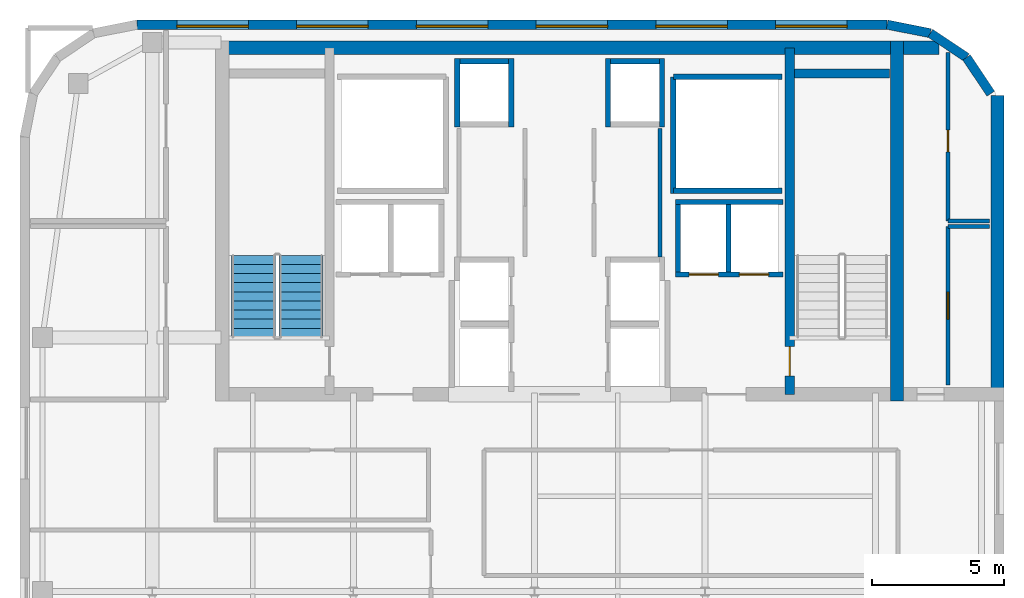
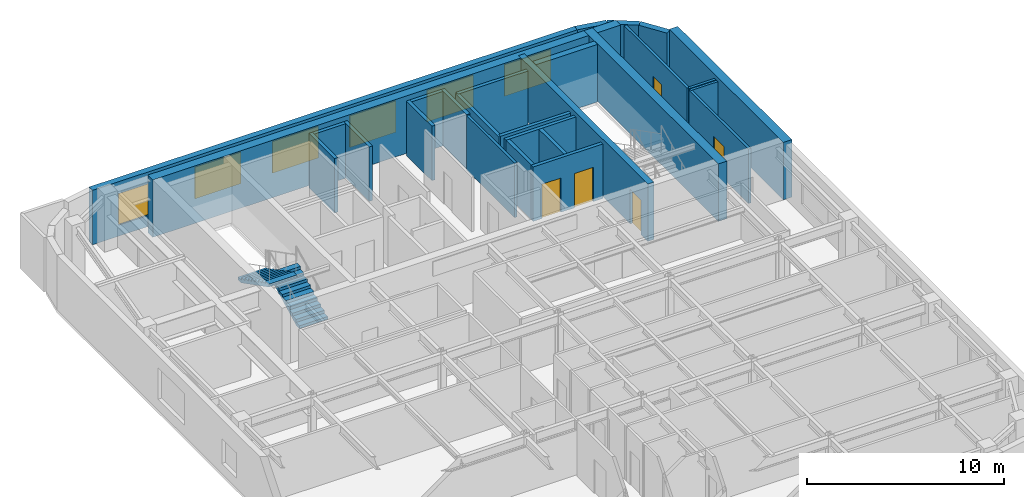
# One storey, part 7 of 9: 28 walls, 6 windows, 5 doors, 2 stair flights, 11 openings, 1 element without a shape of its own.
"""IFC4 building model written with IfcOpenShell, lengths in metres."""

from ifc_helpers import new_model, si_unit, direction, frame, frame_2d, origin, place, context, subcontext, project, spatial, polyline, rectangle, outline, extrude, source, transform, mapped, material, layer, layer_set, type_object, type_shapes, element, fill, aggregate, save


model = new_model("IFC4")

# Units and contexts
model_context = context("Model", 3, precision=1e-05, world=origin(), true_north=direction((0.0, 1.0)))
body_context = subcontext(model_context, "Body", "Model", "MODEL_VIEW")
ifc_project = project(units=[si_unit("LENGTHUNIT", "METRE"), si_unit("AREAUNIT", "SQUARE_METRE"), si_unit("VOLUMEUNIT", "CUBIC_METRE"), si_unit("PLANEANGLEUNIT", "RADIAN"), si_unit("MASSUNIT", "GRAM", prefix="KILO")], contexts=[model_context])

# Site, building, storey
site_placement = place(None, origin())
site = spatial("IfcSite", under=ifc_project, at=site_placement, CompositionType="ELEMENT")
building_placement = place(site_placement, origin())
building = spatial("IfcBuilding", under=site, at=building_placement, Name="Tolvann Quenvar Hotel", CompositionType="ELEMENT")
storey_placement = place(building_placement, frame((0.0, 0.0, 216.800048828125)))
storey = spatial("IfcBuildingStorey", under=building, at=storey_placement, Name="L57", CompositionType="ELEMENT", Elevation=216.800048828125)

# Walls
ifc_material_1 = material(Name="Concrete N50 (50 MPa)", Category="concrete")
ifc_layer_1 = layer(ifc_material_1, 0.5)
ifc_layer_set_1 = layer_set([ifc_layer_1], Name="Concrete N50 (50 MPa)")
wall_type_1 = type_object("IfcWallType", Name="WALL_CORE_500", PredefinedType="SHEAR", material=ifc_layer_set_1)
wall_1_placement = place(storey_placement, frame((10.0, 44.949951171875, 0.0), z_axis=(0.0, 0.0, 1.0), x_axis=(1.0, 0.0, 0.0)))
element("IfcWall", 1, at=wall_1_placement, inside=storey, type_object=wall_type_1, Name="Rear Core N Shear Wall (L57)", PredefinedType="SHEAR", context=body_context, shape_type="SweptSolid", body=[
    extrude(rectangle(XDim=26.0, YDim=0.5, at=frame_2d((13.0, 0.0))), origin(), (0.0, 0.0, 1.0), 3.550048828125),
])
wall_2_placement = place(storey_placement, frame((35.75, 31.60009765625, 0.0), z_axis=(0.0, 0.0, 1.0), x_axis=(0.0, 1.0, 0.0)))
element("IfcWall", 2, at=wall_2_placement, inside=storey, type_object=wall_type_1, Name="Rear Core E Shear Wall (L57)", PredefinedType="SHEAR", context=body_context, shape_type="SweptSolid", body=[
    extrude(rectangle(XDim=13.599853515625, YDim=0.5, at=frame_2d((6.7998046875, 0.0))), origin(), (0.0, 0.0, 1.0), 3.550048828125),
])
wall_3_placement = place(storey_placement, frame((36.0, 44.949951171875, 0.0), z_axis=(0.0, 0.0, 1.0), x_axis=(1.0, 0.0, 0.0)))
element("IfcWall", 3, at=wall_3_placement, inside=storey, type_object=wall_type_1, Name="Core East Annex Shear Wall ANN-N (L57)", PredefinedType="SHEAR", context=body_context, shape_type="SweptSolid", body=[
    extrude(rectangle(XDim=1.35009765625, YDim=0.5, at=frame_2d((0.675048828125, 0.0))), origin(), (0.0, 0.0, 1.0), 3.550048828125),
])
wall_4_placement = place(storey_placement, frame((39.550048828125, 31.60009765625, 0.0), z_axis=(0.0, 0.0, 1.0), x_axis=(0.0, 1.0, 0.0)))
element("IfcWall", 4, at=wall_4_placement, inside=storey, type_object=wall_type_1, Name="Core East Annex Shear Wall ANN-E (L57)", PredefinedType="SHEAR", context=body_context, shape_type="SweptSolid", body=[
    extrude(rectangle(XDim=11.5498046875, YDim=0.5, at=frame_2d((5.77490234375, 0.0))), origin(), (0.0, 0.0, 1.0), 3.550048828125),
])

# Wall, opening, door
ifc_material_2 = material(Name="Concrete S65 (65 MPa)", Category="concrete")
ifc_layer_2 = layer(ifc_material_2, 0.35009765625)
ifc_layer_set_2 = layer_set([ifc_layer_2], Name="Concrete S65 (65 MPa)")
wall_type_2 = type_object("IfcWallType", Name="WALL_CORE_INT_350", PredefinedType="SHEAR", material=ifc_layer_set_2)
wall_5_placement = place(storey_placement, frame((31.699951171875, 31.85009765625, 0.0), z_axis=(0.0, 0.0, 1.0), x_axis=(0.0, 1.0, 0.0)))
wall_5 = element("IfcWall", 5, at=wall_5_placement, inside=storey, type_object=wall_type_2, Name="Core Internal Web Shear Wall WEB-E (L57)", PredefinedType="SHEAR", context=body_context, shape_type="SweptSolid", body=[
    extrude(rectangle(XDim=13.099853515625, YDim=0.35009765625, at=frame_2d((6.5498046875, 0.0))), origin(), (0.0, 0.0, 1.0), 3.550048828125),
])
opening_1_placement = place(wall_5_placement, frame((1.800048828125, 0.0, 0.0), z_axis=(0.0, 0.0, 1.0), x_axis=(-1.0, 0.0, 0.0)))
opening_1 = element("IfcOpeningElement", 6, at=opening_1_placement, cuts=wall_5, Name="Opening FD-120", PredefinedType="OPENING", context=body_context, shape_type="SweptSolid", body=[
    extrude(rectangle(XDim=1.10009765625, YDim=2.1201171875, at=frame_2d((0.550048828125, 1.06005859375))), frame((0.0, 0.18505859375, 0.0), z_axis=(0.0, -1.0, 0.0), x_axis=(1.0, 0.0, 0.0)), (0.0, 0.0, 1.0), 0.3701171875),
])
ifc_material_3 = material(Name="Pressed galvanised steel fire-rated door set", Category="steel")
door_type_1 = type_object("IfcDoorType", Name="DOOR_FIRE_STAIR_1100", OperationType="NOTDEFINED", PredefinedType="DOOR", material=ifc_material_3)
shared_shape_1 = source(origin(), body_context, "Body", "SweptSolid", [
    extrude(rectangle(XDim=1.10009765625, YDim=2.1201171875, at=frame_2d((0.550048828125, 1.06005859375))), frame((0.0, 0.02490234375, 0.0), z_axis=(0.0, -1.0, 0.0), x_axis=(1.0, 0.0, 0.0)), (0.0, 0.0, 1.0), 0.050048828125),
])
type_shapes(door_type_1, [shared_shape_1])
door_1_placement = place(opening_1_placement, origin())
door_1 = element("IfcDoor", 7, at=door_1_placement, inside=storey, type_object=door_type_1, Name="Exit Stair ST-C2 Fire Door (L57)", OperationType="SINGLE_SWING_LEFT", OverallHeight=2.1201171875, OverallWidth=1.10009765625, PredefinedType="DOOR", context=body_context, shape_type="MappedRepresentation", body=[
    mapped(shared_shape_1, transform((0.0, 0.0, 0.0), x_axis=(1.0, 0.0, 0.0), y_axis=(0.0, 1.0, 0.0), z_axis=(0.0, 0.0, 1.0), scale=1.0)),
])
fill(opening_1, door_1)

# Walls
wall_6_placement = place(storey_placement, frame((31.8798828125, 43.97509765625, 0.0), z_axis=(0.0, 0.0, 1.0), x_axis=(1.0, 0.0, 0.0)))
element("IfcWall", 8, at=wall_6_placement, inside=storey, type_object=wall_type_2, Name="Core Stair North Closing Shear Wall STC2-N (L57)", PredefinedType="SHEAR", context=body_context, shape_type="SweptSolid", body=[
    extrude(rectangle(XDim=3.60009765625, YDim=0.35009765625, at=frame_2d((1.800048828125, 0.0))), origin(), (0.0, 0.0, 1.0), 3.550048828125),
])
ifc_material_4 = material(Name="Kiln-fired red and buff architectural clay brickwork and terracotta masonry", Category="masonry")
ifc_layer_3 = layer(ifc_material_4, 0.35009765625)
ifc_layer_set_3 = layer_set([ifc_layer_3], Name="Kiln-fired red and buff architectural clay brickwork and terracotta masonry")
wall_type_3 = type_object("IfcWallType", Name="WALL_EXT_BRICK_350", PredefinedType="SOLIDWALL", material=ifc_layer_set_3)
for number, where, z_axis, x_axis, name in (
    (9, (39.30029296875, 43.215576171875, 0.0), (0.0, 0.0, 1.0), (-0.555623290322, 0.831434158098, 0.0), "Exterior Chicago Brick Wall L57-E11"),
    (10, (38.385009765625, 44.585205078125, 0.0), (0.0, 0.0, 1.0), (-0.831502623162, 0.555520825599, 0.0), "Exterior Chicago Brick Wall L57-E12"),
):
    element("IfcWall", number, at=place(storey_placement, frame(where, z_axis=z_axis, x_axis=x_axis)), inside=storey, type_object=wall_type_3, Name=name, PredefinedType="SOLIDWALL", context=body_context, shape_type="SweptSolid", body=[
        extrude(rectangle(XDim=1.647216796875, YDim=0.35009765625, at=frame_2d((0.82373046875, 0.0))), origin(), (0.0, 0.0, 1.0), 3.369873046875),
    ])
wall_7_placement = place(storey_placement, frame((37.015380859375, 45.500244140625, 0.0), z_axis=(0.0, 0.0, 1.0), x_axis=(-0.980788844421, 0.195072403631, 0.0)))
element("IfcWall", 11, at=wall_7_placement, inside=storey, type_object=wall_type_3, Name="Exterior Chicago Brick Wall L57-E13", PredefinedType="SOLIDWALL", context=body_context, shape_type="SweptSolid", body=[
    extrude(rectangle(XDim=1.66455078125, YDim=0.35009765625, at=frame_2d((0.832275390625, 0.0))), origin(), (0.0, 0.0, 1.0), 3.369873046875),
])

# Wall, openings, windows
wall_8_placement = place(storey_placement, frame((35.3828125, 45.824951171875, 0.0), z_axis=(0.0, 0.0, 1.0), x_axis=(-1.0, 0.0, 0.0)))
wall_8 = element("IfcWall", 12, at=wall_8_placement, inside=storey, type_object=wall_type_3, Name="Exterior Chicago Brick Wall L57-E14", PredefinedType="SOLIDWALL", context=body_context, shape_type="SweptSolid", body=[
    extrude(rectangle(XDim=28.36572265625, YDim=0.35009765625, at=frame_2d((14.182861328125, 0.0))), origin(), (0.0, 0.0, 1.0), 3.369873046875),
])
opening_2_placement = place(wall_8_placement, frame((1.513916015625, 0.0, 0.679931640625)))
opening_2 = element("IfcOpeningElement", 13, at=opening_2_placement, cuts=wall_8, Name="Opening W-04", PredefinedType="OPENING", context=body_context, shape_type="SweptSolid", body=[
    extrude(rectangle(XDim=2.699951171875, YDim=1.949951171875, at=frame_2d((1.35009765625, 0.97509765625))), frame((0.0, 0.18505859375, 0.0), z_axis=(0.0, -1.0, 0.0), x_axis=(1.0, 0.0, 0.0)), (0.0, 0.0, 1.0), 0.3701171875),
])
opening_3_placement = place(wall_8_placement, frame((6.041015625, 0.0, 0.679931640625)))
opening_3 = element("IfcOpeningElement", 14, at=opening_3_placement, cuts=wall_8, Name="Opening W-04", PredefinedType="OPENING", context=body_context, shape_type="SweptSolid", body=[
    extrude(rectangle(XDim=2.699951171875, YDim=1.949951171875, at=frame_2d((1.35009765625, 0.97509765625))), frame((0.0, 0.18505859375, 0.0), z_axis=(0.0, -1.0, 0.0), x_axis=(1.0, 0.0, 0.0)), (0.0, 0.0, 1.0), 0.3701171875),
])
opening_4_placement = place(wall_8_placement, frame((10.569091796875, 0.0, 0.679931640625)))
opening_4 = element("IfcOpeningElement", 15, at=opening_4_placement, cuts=wall_8, Name="Opening W-04", PredefinedType="OPENING", context=body_context, shape_type="SweptSolid", body=[
    extrude(rectangle(XDim=2.699951171875, YDim=1.949951171875, at=frame_2d((1.35009765625, 0.97509765625))), frame((0.0, 0.18505859375, 0.0), z_axis=(0.0, -1.0, 0.0), x_axis=(1.0, 0.0, 0.0)), (0.0, 0.0, 1.0), 0.3701171875),
])
opening_5_placement = place(wall_8_placement, frame((15.096923828125, 0.0, 0.679931640625)))
opening_5 = element("IfcOpeningElement", 16, at=opening_5_placement, cuts=wall_8, Name="Opening W-04", PredefinedType="OPENING", context=body_context, shape_type="SweptSolid", body=[
    extrude(rectangle(XDim=2.699951171875, YDim=1.949951171875, at=frame_2d((1.35009765625, 0.97509765625))), frame((0.0, 0.18505859375, 0.0), z_axis=(0.0, -1.0, 0.0), x_axis=(1.0, 0.0, 0.0)), (0.0, 0.0, 1.0), 0.3701171875),
])
opening_6_placement = place(wall_8_placement, frame((19.6240234375, 0.0, 0.679931640625)))
opening_6 = element("IfcOpeningElement", 17, at=opening_6_placement, cuts=wall_8, Name="Opening W-04", PredefinedType="OPENING", context=body_context, shape_type="SweptSolid", body=[
    extrude(rectangle(XDim=2.699951171875, YDim=1.949951171875, at=frame_2d((1.35009765625, 0.97509765625))), frame((0.0, 0.18505859375, 0.0), z_axis=(0.0, -1.0, 0.0), x_axis=(1.0, 0.0, 0.0)), (0.0, 0.0, 1.0), 0.3701171875),
])
opening_7_placement = place(wall_8_placement, frame((24.152099609375, 0.0, 0.679931640625)))
opening_7 = element("IfcOpeningElement", 18, at=opening_7_placement, cuts=wall_8, Name="Opening W-04", PredefinedType="OPENING", context=body_context, shape_type="SweptSolid", body=[
    extrude(rectangle(XDim=2.699951171875, YDim=1.949951171875, at=frame_2d((1.35009765625, 0.97509765625))), frame((0.0, 0.18505859375, 0.0), z_axis=(0.0, -1.0, 0.0), x_axis=(1.0, 0.0, 0.0)), (0.0, 0.0, 1.0), 0.3701171875),
])
ifc_material_5 = material(Name="Thermally broken bronze-anodised aluminium frame with double low-E glazing", Category="aluminium")
window_type = type_object("IfcWindowType", Name="WIN_STE_2700x2150", PartitioningType="TRIPLE_PANEL_HORIZONTAL", PredefinedType="WINDOW", material=ifc_material_5)
shared_shape_2 = source(origin(), body_context, "Body", "SweptSolid", [
    extrude(rectangle(XDim=2.699951171875, YDim=1.949951171875, at=frame_2d((1.35009765625, 0.97509765625))), frame((0.0, 0.090087890625, 0.0), z_axis=(0.0, -1.0, 0.0), x_axis=(1.0, 0.0, 0.0)), (0.0, 0.0, 1.0), 0.06005859375),
])
type_shapes(window_type, [shared_shape_2])
window_1_placement = place(opening_2_placement, origin())
window_1 = element("IfcWindow", 19, at=window_1_placement, inside=storey, type_object=window_type, Name="Chicago Window W-04 (EW-L57-E14-W01)", OverallHeight=1.949951171875, OverallWidth=2.699951171875, PartitioningType="TRIPLE_PANEL_HORIZONTAL", PredefinedType="WINDOW", context=body_context, shape_type="MappedRepresentation", body=[
    mapped(shared_shape_2, transform((0.0, 0.0, 0.0), x_axis=(1.0, 0.0, 0.0), y_axis=(0.0, 1.0, 0.0), z_axis=(0.0, 0.0, 1.0), scale=1.0)),
])
fill(opening_2, window_1)
window_2_placement = place(opening_3_placement, origin())
window_2 = element("IfcWindow", 20, at=window_2_placement, inside=storey, type_object=window_type, Name="Chicago Window W-04 (EW-L57-E14-W02)", OverallHeight=1.949951171875, OverallWidth=2.699951171875, PartitioningType="TRIPLE_PANEL_HORIZONTAL", PredefinedType="WINDOW", context=body_context, shape_type="MappedRepresentation", body=[
    mapped(shared_shape_2, transform((0.0, 0.0, 0.0), x_axis=(1.0, 0.0, 0.0), y_axis=(0.0, 1.0, 0.0), z_axis=(0.0, 0.0, 1.0), scale=1.0)),
])
fill(opening_3, window_2)
window_3_placement = place(opening_4_placement, origin())
window_3 = element("IfcWindow", 21, at=window_3_placement, inside=storey, type_object=window_type, Name="Chicago Window W-04 (EW-L57-E14-W03)", OverallHeight=1.949951171875, OverallWidth=2.699951171875, PartitioningType="TRIPLE_PANEL_HORIZONTAL", PredefinedType="WINDOW", context=body_context, shape_type="MappedRepresentation", body=[
    mapped(shared_shape_2, transform((0.0, 0.0, 0.0), x_axis=(1.0, 0.0, 0.0), y_axis=(0.0, 1.0, 0.0), z_axis=(0.0, 0.0, 1.0), scale=1.0)),
])
fill(opening_4, window_3)
window_4_placement = place(opening_5_placement, origin())
window_4 = element("IfcWindow", 22, at=window_4_placement, inside=storey, type_object=window_type, Name="Chicago Window W-04 (EW-L57-E14-W04)", OverallHeight=1.949951171875, OverallWidth=2.699951171875, PartitioningType="TRIPLE_PANEL_HORIZONTAL", PredefinedType="WINDOW", context=body_context, shape_type="MappedRepresentation", body=[
    mapped(shared_shape_2, transform((0.0, 0.0, 0.0), x_axis=(1.0, 0.0, 0.0), y_axis=(0.0, 1.0, 0.0), z_axis=(0.0, 0.0, 1.0), scale=1.0)),
])
fill(opening_5, window_4)
window_5_placement = place(opening_6_placement, origin())
window_5 = element("IfcWindow", 23, at=window_5_placement, inside=storey, type_object=window_type, Name="Chicago Window W-04 (EW-L57-E14-W05)", OverallHeight=1.949951171875, OverallWidth=2.699951171875, PartitioningType="TRIPLE_PANEL_HORIZONTAL", PredefinedType="WINDOW", context=body_context, shape_type="MappedRepresentation", body=[
    mapped(shared_shape_2, transform((0.0, 0.0, 0.0), x_axis=(1.0, 0.0, 0.0), y_axis=(0.0, 1.0, 0.0), z_axis=(0.0, 0.0, 1.0), scale=1.0)),
])
fill(opening_6, window_5)
window_6_placement = place(opening_7_placement, origin())
window_6 = element("IfcWindow", 24, at=window_6_placement, inside=storey, type_object=window_type, Name="Chicago Window W-04 (EW-L57-E14-W06)", OverallHeight=1.949951171875, OverallWidth=2.699951171875, PartitioningType="TRIPLE_PANEL_HORIZONTAL", PredefinedType="WINDOW", context=body_context, shape_type="MappedRepresentation", body=[
    mapped(shared_shape_2, transform((0.0, 0.0, 0.0), x_axis=(1.0, 0.0, 0.0), y_axis=(0.0, 1.0, 0.0), z_axis=(0.0, 0.0, 1.0), scale=1.0)),
])
fill(opening_7, window_6)

# Walls
ifc_material_6 = material(Name="Acoustic twin-stud fire-rated gypsum plasterboard partition")
ifc_layer_4 = layer(ifc_material_6, 0.14990234375)
ifc_layer_set_4 = layer_set([ifc_layer_4], Name="Acoustic twin-stud fire-rated gypsum plasterboard partition")
wall_type_4 = type_object("IfcWallType", Name="WALL_PART_SUITE_150", PredefinedType="PARTITIONING", material=ifc_layer_set_4)
wall_9_placement = place(storey_placement, frame((26.800048828125, 37.0400390625, 0.0), z_axis=(0.0, 0.0, 1.0), x_axis=(0.0, 1.0, 0.0)))
element("IfcWall", 25, at=wall_9_placement, inside=storey, type_object=wall_type_4, Name="Interior Partition PT-SPC-L57-RECPM-2-E", PredefinedType="PARTITIONING", context=body_context, shape_type="SweptSolid", body=[
    extrude(rectangle(XDim=4.85986328125, YDim=0.14990234375, at=frame_2d((2.429931640625, 0.0))), origin(), (0.0, 0.0, 1.0), 3.369873046875),
])
wall_10_placement = place(storey_placement, frame((37.679931640625, 38.199951171875, 0.0), z_axis=(0.0, 0.0, 1.0), x_axis=(1.0, 0.0, 0.0)))
element("IfcWall", 26, at=wall_10_placement, inside=storey, type_object=wall_type_4, Name="Interior Partition PT-SPC-L57-RECPL-1-N", PredefinedType="PARTITIONING", context=body_context, shape_type="SweptSolid", body=[
    extrude(rectangle(XDim=1.565185546875, YDim=0.14990234375, at=frame_2d((0.78271484375, 0.0))), origin(), (0.0, 0.0, 1.0), 3.369873046875),
])

# Wall, opening, door
wall_11_placement = place(storey_placement, frame((37.679931640625, 32.199951171875, 0.0), z_axis=(0.0, 0.0, 1.0), x_axis=(0.0, 1.0, 0.0)))
wall_11 = element("IfcWall", 27, at=wall_11_placement, inside=storey, type_object=wall_type_4, Name="Interior Partition PT-SPC-L57-RECPL-1-W", PredefinedType="PARTITIONING", context=body_context, shape_type="SweptSolid", body=[
    extrude(rectangle(XDim=6.0, YDim=0.14990234375, at=frame_2d((3.0, 0.0))), origin(), (0.0, 0.0, 1.0), 3.369873046875),
])
opening_8_placement = place(wall_11_placement, frame((2.489990234375, 0.0, 0.0)))
opening_8 = element("IfcOpeningElement", 28, at=opening_8_placement, cuts=wall_11, Name="Opening HD-01", PredefinedType="OPENING", context=body_context, shape_type="SweptSolid", body=[
    extrude(rectangle(XDim=1.02001953125, YDim=2.030029296875, at=frame_2d((0.510009765625, 1.01513671875))), frame((0.0, 0.0849609375, 0.0), z_axis=(0.0, -1.0, 0.0), x_axis=(1.0, 0.0, 0.0)), (0.0, 0.0, 1.0), 0.169921875),
])
door_type_2 = type_object("IfcDoorType", Name="DOOR_BOH_1020", OperationType="NOTDEFINED", PredefinedType="DOOR", material=ifc_material_3)
shared_shape_3 = source(origin(), body_context, "Body", "SweptSolid", [
    extrude(rectangle(XDim=1.02001953125, YDim=2.030029296875, at=frame_2d((0.510009765625, 1.01513671875))), frame((0.0, 0.02490234375, 0.0), z_axis=(0.0, -1.0, 0.0), x_axis=(1.0, 0.0, 0.0)), (0.0, 0.0, 1.0), 0.050048828125),
])
type_shapes(door_type_2, [shared_shape_3])
door_2_placement = place(opening_8_placement, origin())
door_2 = element("IfcDoor", 29, at=door_2_placement, inside=storey, type_object=door_type_2, Name="Interior Door DOOR-SPC-L57-RECPL-1", OperationType="SINGLE_SWING_LEFT", OverallHeight=2.030029296875, OverallWidth=1.02001953125, PredefinedType="DOOR", context=body_context, shape_type="MappedRepresentation", body=[
    mapped(shared_shape_3, transform((0.0, 0.0, 0.0), x_axis=(1.0, 0.0, 0.0), y_axis=(0.0, 1.0, 0.0), z_axis=(0.0, 0.0, 1.0), scale=1.0)),
])
fill(opening_8, door_2)

# Wall
wall_12_placement = place(storey_placement, frame((37.679931640625, 38.39990234375, 0.0), z_axis=(0.0, 0.0, 1.0), x_axis=(1.0, 0.0, 0.0)))
element("IfcWall", 30, at=wall_12_placement, inside=storey, type_object=wall_type_4, Name="Interior Partition PT-SPC-L57-CSE-1-S", PredefinedType="PARTITIONING", context=body_context, shape_type="SweptSolid", body=[
    extrude(rectangle(XDim=1.565185546875, YDim=0.14990234375, at=frame_2d((0.78271484375, 0.0))), origin(), (0.0, 0.0, 1.0), 3.369873046875),
])

# Wall, opening, door
wall_13_placement = place(storey_placement, frame((37.679931640625, 38.39990234375, 0.0), z_axis=(0.0, 0.0, 1.0), x_axis=(0.0, 1.0, 0.0)))
wall_13 = element("IfcWall", 31, at=wall_13_placement, inside=storey, type_object=wall_type_4, Name="Interior Partition PT-SPC-L57-CSE-1-W", PredefinedType="PARTITIONING", context=body_context, shape_type="SweptSolid", body=[
    extrude(rectangle(XDim=6.380126953125, YDim=0.14990234375, at=frame_2d((3.18994140625, 0.0))), origin(), (0.0, 0.0, 1.0), 3.369873046875),
])
opening_9_placement = place(wall_13_placement, frame((2.614990234375, 0.0, 0.0)))
opening_9 = element("IfcOpeningElement", 32, at=opening_9_placement, cuts=wall_13, Name="Opening HD-02", PredefinedType="OPENING", context=body_context, shape_type="SweptSolid", body=[
    extrude(rectangle(XDim=0.820068359375, YDim=2.010009765625, at=frame_2d((0.41015625, 1.0048828125))), frame((0.0, 0.0849609375, 0.0), z_axis=(0.0, -1.0, 0.0), x_axis=(1.0, 0.0, 0.0)), (0.0, 0.0, 1.0), 0.169921875),
])
door_type_3 = type_object("IfcDoorType", Name="DOOR_STORE_820", OperationType="NOTDEFINED", PredefinedType="DOOR", material=ifc_material_3)
shared_shape_4 = source(origin(), body_context, "Body", "SweptSolid", [
    extrude(rectangle(XDim=0.820068359375, YDim=2.010009765625, at=frame_2d((0.41015625, 1.0048828125))), frame((0.0, 0.02490234375, 0.0), z_axis=(0.0, -1.0, 0.0), x_axis=(1.0, 0.0, 0.0)), (0.0, 0.0, 1.0), 0.050048828125),
])
type_shapes(door_type_3, [shared_shape_4])
door_3_placement = place(opening_9_placement, origin())
door_3 = element("IfcDoor", 33, at=door_3_placement, inside=storey, type_object=door_type_3, Name="Interior Door DOOR-SPC-L57-CSE-1", OperationType="SINGLE_SWING_RIGHT", OverallHeight=2.010009765625, OverallWidth=0.820068359375, PredefinedType="DOOR", context=body_context, shape_type="MappedRepresentation", body=[
    mapped(shared_shape_4, transform((0.0, 0.0, 0.0), x_axis=(1.0, 0.0, 0.0), y_axis=(0.0, 1.0, 0.0), z_axis=(0.0, 0.0, 1.0), scale=1.0)),
])
fill(opening_9, door_3)

# Walls
ifc_material_7 = material(Name="Concrete N40 (40 MPa)", Category="concrete")
ifc_layer_5 = layer(ifc_material_7, 0.199951171875)
ifc_layer_set_5 = layer_set([ifc_layer_5], Name="Concrete N40 (40 MPa)")
wall_type_5 = type_object("IfcWallType", Name="WALL_SHAFT_200", PredefinedType="SOLIDWALL", material=ifc_layer_set_5)
wall_14_placement = place(storey_placement, frame((27.300048828125, 39.449951171875, 0.0), z_axis=(0.0, 0.0, 1.0), x_axis=(0.0, 1.0, 0.0)))
element("IfcWall", 34, at=wall_14_placement, inside=storey, type_object=wall_type_5, Name="Service Riser E Shaft Wall IN (L57)", PredefinedType="SOLIDWALL", context=body_context, shape_type="SweptSolid", body=[
    extrude(rectangle(XDim=4.400146484375, YDim=0.199951171875, at=frame_2d((2.2001953125, 0.0))), origin(), (0.0, 0.0, 1.0), 3.369873046875),
])
for number, where, z_axis, x_axis, name in (
    (35, (27.300048828125, 39.550048828125, 0.0), (0.0, 0.0, 1.0), (1.0, 0.0, 0.0), "Service Riser E Shaft Wall S (L57)"),
    (36, (27.300048828125, 43.85009765625, 0.0), (0.0, 0.0, 1.0), (1.0, 0.0, 0.0), "Service Riser E Shaft Wall N (L57)"),
):
    element("IfcWall", number, at=place(storey_placement, frame(where, z_axis=z_axis, x_axis=x_axis)), inside=storey, type_object=wall_type_5, Name=name, PredefinedType="SOLIDWALL", context=body_context, shape_type="SweptSolid", body=[
        extrude(rectangle(XDim=4.099853515625, YDim=0.199951171875, at=frame_2d((2.0498046875, 0.0))), origin(), (0.0, 0.0, 1.0), 3.369873046875),
    ])
for number, where, z_axis, x_axis, name in (
    (37, (21.169921875, 41.9599609375, 0.0), (0.0, 0.0, 1.0), (0.0, 1.0, 0.0), "Lift Bank E21.1C2 Hoistway Front Wall (L57)"),
    (38, (19.1298828125, 41.9599609375, 0.0), (0.0, 0.0, 1.0), (0.0, 1.0, 0.0), "Lift Bank E21.1C2 Hoistway Rear Wall (L57)"),
):
    element("IfcWall", number, at=place(storey_placement, frame(where, z_axis=z_axis, x_axis=x_axis)), inside=storey, type_object=wall_type_5, Name=name, PredefinedType="SOLIDWALL", context=body_context, shape_type="SweptSolid", body=[
        extrude(rectangle(XDim=2.580078125, YDim=0.199951171875, at=frame_2d((1.2900390625, 0.0))), origin(), (0.0, 0.0, 1.0), 3.369873046875),
    ])
wall_15_placement = place(storey_placement, frame((19.22998046875, 44.43994140625, 0.0), z_axis=(0.0, 0.0, 1.0), x_axis=(1.0, 0.0, 0.0)))
element("IfcWall", 39, at=wall_15_placement, inside=storey, type_object=wall_type_5, Name="Lift Bank E21.1C2 Hoistway Cheek Wall 2 (L57)", PredefinedType="SOLIDWALL", context=body_context, shape_type="SweptSolid", body=[
    extrude(rectangle(XDim=1.840087890625, YDim=0.199951171875, at=frame_2d((0.919921875, 0.0))), origin(), (0.0, 0.0, 1.0), 3.369873046875),
])

# Wall, openings, doors
wall_16_placement = place(storey_placement, frame((27.375, 36.3798828125, 0.0), z_axis=(0.0, 0.0, 1.0), x_axis=(1.0, 0.0, 0.0)))
wall_16 = element("IfcWall", 40, at=wall_16_placement, inside=storey, type_object=wall_type_5, Name="Lift Bank SEC1 Hoistway Front Wall (L57)", PredefinedType="SOLIDWALL", context=body_context, shape_type="SweptSolid", body=[
    extrude(rectangle(XDim=4.074951171875, YDim=0.199951171875, at=frame_2d((2.03759765625, 0.0))), origin(), (0.0, 0.0, 1.0), 3.369873046875),
])
opening_10_placement = place(wall_16_placement, frame((0.52490234375, 0.0, 0.0)))
opening_10 = element("IfcOpeningElement", 41, at=opening_10_placement, cuts=wall_16, Name="Opening LD-01", PredefinedType="OPENING", context=body_context, shape_type="SweptSolid", body=[
    extrude(rectangle(XDim=1.10009765625, YDim=2.1201171875, at=frame_2d((0.550048828125, 1.06005859375))), frame((0.0, 0.10986328125, 0.0), z_axis=(0.0, -1.0, 0.0), x_axis=(1.0, 0.0, 0.0)), (0.0, 0.0, 1.0), 0.219970703125),
])
opening_11_placement = place(wall_16_placement, frame((2.425048828125, 0.0, 0.0)))
opening_11 = element("IfcOpeningElement", 42, at=opening_11_placement, cuts=wall_16, Name="Opening LD-01", PredefinedType="OPENING", context=body_context, shape_type="SweptSolid", body=[
    extrude(rectangle(XDim=1.10009765625, YDim=2.1201171875, at=frame_2d((0.550048828125, 1.06005859375))), frame((0.0, 0.10986328125, 0.0), z_axis=(0.0, -1.0, 0.0), x_axis=(1.0, 0.0, 0.0)), (0.0, 0.0, 1.0), 0.219970703125),
])
ifc_material_8 = material(Name="Brushed 316 stainless steel automatic sliding lift landing door", Category="steel")
door_type_4 = type_object("IfcDoorType", Name="DOOR_LIFT_SLIDE_1100", OperationType="NOTDEFINED", PredefinedType="DOOR", material=ifc_material_8)
shared_shape_5 = source(origin(), body_context, "Body", "SweptSolid", [
    extrude(rectangle(XDim=1.10009765625, YDim=2.1201171875, at=frame_2d((0.550048828125, 1.06005859375))), frame((0.0, 0.02490234375, 0.0), z_axis=(0.0, -1.0, 0.0), x_axis=(1.0, 0.0, 0.0)), (0.0, 0.0, 1.0), 0.050048828125),
])
type_shapes(door_type_4, [shared_shape_5])
door_4_placement = place(opening_10_placement, origin())
door_4 = element("IfcDoor", 43, at=door_4_placement, inside=storey, type_object=door_type_4, Name="Lift SV-2 Sliding Landing Door (L57)", OperationType="SLIDING_TO_LEFT", OverallHeight=2.1201171875, OverallWidth=1.10009765625, PredefinedType="DOOR", context=body_context, shape_type="MappedRepresentation", body=[
    mapped(shared_shape_5, transform((0.0, 0.0, 0.0), x_axis=(1.0, 0.0, 0.0), y_axis=(0.0, 1.0, 0.0), z_axis=(0.0, 0.0, 1.0), scale=1.0)),
])
fill(opening_10, door_4)
door_5_placement = place(opening_11_placement, origin())
door_5 = element("IfcDoor", 44, at=door_5_placement, inside=storey, type_object=door_type_4, Name="Lift FF-2 Sliding Landing Door (L57)", OperationType="SLIDING_TO_RIGHT", OverallHeight=2.1201171875, OverallWidth=1.10009765625, PredefinedType="DOOR", context=body_context, shape_type="MappedRepresentation", body=[
    mapped(shared_shape_5, transform((0.0, 0.0, 0.0), x_axis=(1.0, 0.0, 0.0), y_axis=(0.0, 1.0, 0.0), z_axis=(0.0, 0.0, 1.0), scale=1.0)),
])
fill(opening_11, door_5)

# Walls
wall_17_placement = place(storey_placement, frame((27.375, 39.1201171875, 0.0), z_axis=(0.0, 0.0, 1.0), x_axis=(1.0, 0.0, 0.0)))
element("IfcWall", 45, at=wall_17_placement, inside=storey, type_object=wall_type_5, Name="Lift Bank SEC1 Hoistway Rear Wall (L57)", PredefinedType="SOLIDWALL", context=body_context, shape_type="SweptSolid", body=[
    extrude(rectangle(XDim=4.074951171875, YDim=0.199951171875, at=frame_2d((2.03759765625, 0.0))), origin(), (0.0, 0.0, 1.0), 3.369873046875),
])
for number, where, z_axis, x_axis, name in (
    (46, (27.47509765625, 36.47998046875, 0.0), (0.0, 0.0, 1.0), (0.0, 1.0, 0.0), "Lift Bank SEC1 Hoistway Cheek Wall 1 (L57)"),
    (47, (29.387451171875, 36.47998046875, 0.0), (0.0, 0.0, 1.0), (0.0, 1.0, 0.0), "Lift Bank SEC1 Divider Wall 1 (L57)"),
):
    element("IfcWall", number, at=place(storey_placement, frame(where, z_axis=z_axis, x_axis=x_axis)), inside=storey, type_object=wall_type_5, Name=name, PredefinedType="SOLIDWALL", context=body_context, shape_type="SweptSolid", body=[
        extrude(rectangle(XDim=2.5400390625, YDim=0.199951171875, at=frame_2d((1.27001953125, 0.0))), origin(), (0.0, 0.0, 1.0), 3.369873046875),
    ])
for number, where, z_axis, x_axis, name in (
    (48, (24.830078125, 41.9599609375, 0.0), (0.0, 0.0, 1.0), (0.0, 1.0, 0.0), "Lift Bank W24.9C2 Hoistway Front Wall (L57)"),
    (49, (26.8701171875, 41.9599609375, 0.0), (0.0, 0.0, 1.0), (0.0, 1.0, 0.0), "Lift Bank W24.9C2 Hoistway Rear Wall (L57)"),
):
    element("IfcWall", number, at=place(storey_placement, frame(where, z_axis=z_axis, x_axis=x_axis)), inside=storey, type_object=wall_type_5, Name=name, PredefinedType="SOLIDWALL", context=body_context, shape_type="SweptSolid", body=[
        extrude(rectangle(XDim=2.580078125, YDim=0.199951171875, at=frame_2d((1.2900390625, 0.0))), origin(), (0.0, 0.0, 1.0), 3.369873046875),
    ])
wall_18_placement = place(storey_placement, frame((24.929931640625, 44.43994140625, 0.0), z_axis=(0.0, 0.0, 1.0), x_axis=(1.0, 0.0, 0.0)))
element("IfcWall", 50, at=wall_18_placement, inside=storey, type_object=wall_type_5, Name="Lift Bank W24.9C2 Hoistway Cheek Wall 2 (L57)", PredefinedType="SOLIDWALL", context=body_context, shape_type="SweptSolid", body=[
    extrude(rectangle(XDim=1.840087890625, YDim=0.199951171875, at=frame_2d((0.919921875, 0.0))), origin(), (0.0, 0.0, 1.0), 3.369873046875),
])

# Stair, stair flights
stair_type = type_object("IfcStairType", Name="STAIR", PredefinedType="HALF_TURN_STAIR", material=ifc_material_7)
stair_placement = place(storey_placement, origin())
stair = element("IfcStair", 51, at=stair_placement, inside=storey, type_object=stair_type, Name="L57 ST-C1", PredefinedType="HALF_TURN_STAIR")
stair_flight_type = type_object("IfcStairFlightType", Name="STAIR_FLIGHT", PredefinedType="STRAIGHT", material=ifc_material_7)
stair_flight_1_placement = place(storey_placement, frame((13.22509765625, 34.0, 0.0), z_axis=(0.0, 0.0, 1.0), x_axis=(0.0, 1.0, 0.0)))
stair_flight_1 = element("IfcStairFlight", 52, at=stair_flight_1_placement, type_object=stair_flight_type, Name="ST-C1 flight 1", NumberOfRisers=10, NumberOfTreads=9, PredefinedType="STRAIGHT", RiserHeight=0.1775, TreadLength=0.345, context=body_context, shape_type="SweptSolid", body=[
    extrude(outline(polyline([(0.0, 0.0), (0.0, 0.177490234375), (0.344970703125, 0.177490234375), (0.344970703125, 0.35498046875), (0.68994140625, 0.35498046875), (0.68994140625, 0.532470703125), (1.034912109375, 0.532470703125), (1.034912109375, 0.7099609375), (1.3798828125, 0.7099609375), (1.3798828125, 0.887451171875), (1.72509765625, 0.887451171875), (1.72509765625, 1.06494140625), (2.070068359375, 1.06494140625), (2.070068359375, 1.242431640625), (2.4150390625, 1.242431640625), (2.4150390625, 1.419921875), (2.760009765625, 1.419921875), (2.760009765625, 1.597412109375), (3.10498046875, 1.597412109375), (3.10498046875, 1.77490234375), (3.10498046875, 1.428955078125), (0.32763671875, 0.0), (0.0, 0.0)])), frame((0.0, 0.824951171875, 0.0), z_axis=(0.0, -1.0, 0.0), x_axis=(1.0, 0.0, 0.0)), (0.0, 0.0, 1.0), 1.64990234375),
])
stair_flight_2_placement = place(storey_placement, frame((11.425048828125, 37.10498046875, 1.77490234375), z_axis=(0.0, 0.0, 1.0), x_axis=(0.0, -1.0, 0.0)))
stair_flight_2 = element("IfcStairFlight", 53, at=stair_flight_2_placement, type_object=stair_flight_type, Name="ST-C1 flight 2", NumberOfRisers=10, NumberOfTreads=9, PredefinedType="STRAIGHT", RiserHeight=0.1775, TreadLength=0.345, context=body_context, shape_type="SweptSolid", body=[
    extrude(outline(polyline([(0.0, 0.0), (0.0, 0.177490234375), (0.344970703125, 0.177490234375), (0.344970703125, 0.35498046875), (0.68994140625, 0.35498046875), (0.68994140625, 0.532470703125), (1.034912109375, 0.532470703125), (1.034912109375, 0.7099609375), (1.3798828125, 0.7099609375), (1.3798828125, 0.887451171875), (1.72509765625, 0.887451171875), (1.72509765625, 1.06494140625), (2.070068359375, 1.06494140625), (2.070068359375, 1.242431640625), (2.4150390625, 1.242431640625), (2.4150390625, 1.419921875), (2.760009765625, 1.419921875), (2.760009765625, 1.597412109375), (3.10498046875, 1.597412109375), (3.10498046875, 1.77490234375), (3.10498046875, 1.428955078125), (0.32763671875, 0.0), (0.0, 0.0)])), frame((0.0, 0.824951171875, 0.0), z_axis=(0.0, -1.0, 0.0), x_axis=(1.0, 0.0, 0.0)), (0.0, 0.0, 1.0), 1.64990234375),
])
aggregate(stair, [stair_flight_1, stair_flight_2])

save(model, "model.ifc")
